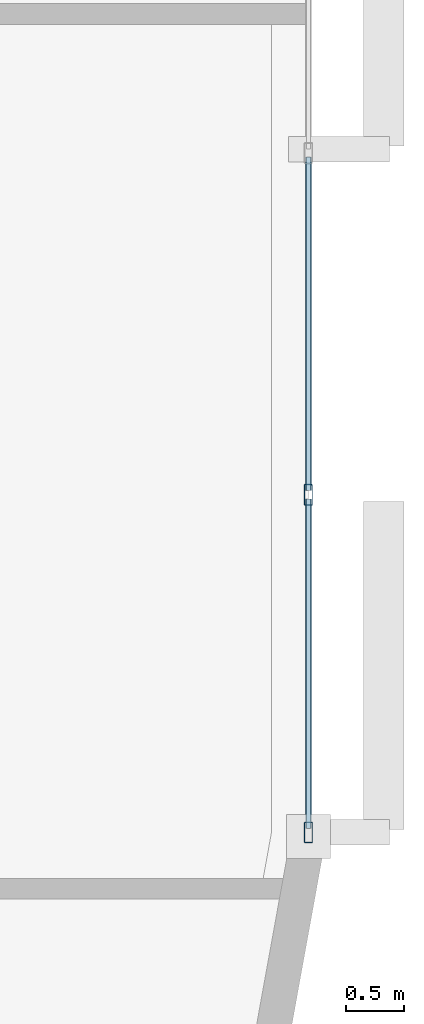
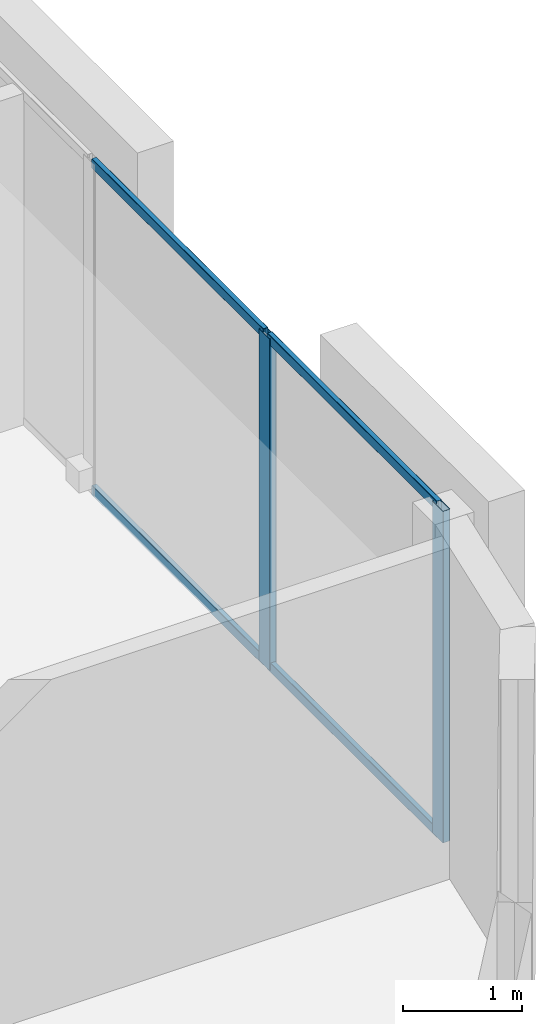
# One storey, part 4 of 13: 6 members, 1 element without a shape of its own.
"""IFC4 building model written with IfcOpenShell, lengths in metres."""

from ifc_helpers import new_model, si_unit, direction, frame, origin, origin_2d, place, context, subcontext, project, spatial, hollow_rectangle, extrude, material, layer, layer_set, material_profile, profile_set, type_object, element, aggregate, save


model = new_model("IFC4")

# Units and contexts
model_context = context("Model", 3, precision=1e-05, world=origin(), true_north=direction((0.0, 1.0)))
body_context = subcontext(model_context, "Body", "Model", "MODEL_VIEW")
ifc_project = project(units=[si_unit("LENGTHUNIT", "METRE"), si_unit("AREAUNIT", "SQUARE_METRE"), si_unit("VOLUMEUNIT", "CUBIC_METRE"), si_unit("PLANEANGLEUNIT", "RADIAN"), si_unit("MASSUNIT", "GRAM", prefix="KILO")], contexts=[model_context])

# Site, building, storey
site_placement = place(None, origin())
site = spatial("IfcSite", under=ifc_project, at=site_placement, CompositionType="ELEMENT")
building_placement = place(site_placement, origin())
building = spatial("IfcBuilding", under=site, at=building_placement, Name="An Khanh Terracotta Commons", CompositionType="ELEMENT")
storey_placement = place(building_placement, frame((0.0, 0.0, 226.5)))
storey = spatial("IfcBuildingStorey", under=building, at=storey_placement, Name="L59", CompositionType="ELEMENT", Elevation=226.5)

# Curtain wall, members
ifc_material = material(Name="Anodised Aluminium 6063-T6", Category="aluminium")
ifc_layer = layer(ifc_material, 0.2099609375, Name="Anodised Aluminium 6063-T6")
ifc_layer_set = layer_set([ifc_layer], Name="Anodised Aluminium 6063-T6")
curtain_wall_type = type_object("IfcCurtainWallType", Name="CW-SYS-03", PredefinedType="USERDEFINED", material=ifc_layer_set)
curtain_wall_placement = place(storey_placement, origin())
curtain_wall = element("IfcCurtainWall", 1, at=curtain_wall_placement, inside=storey, type_object=curtain_wall_type, Name="L59 CW-03 Unitised Curtain Wall CW-L59-12", ObjectType="UNITISED CURTAIN WALL", PredefinedType="USERDEFINED")
ifc_material_profile_1 = material_profile(ifc_material, hollow_rectangle(XDim=0.070068359375, YDim=0.179931640625, WallThickness=0.00390625, InnerFilletRadius=0.00390625, OuterFilletRadius=0.008056640625, at=origin_2d()), Name="RHS180x70x4")
ifc_profile_set_1 = profile_set([ifc_material_profile_1], Name="Anodised Aluminium 6063-T6")
member_type_1 = type_object("IfcMemberType", Name="CWM-RHS180x70x4", PredefinedType="MULLION", material=ifc_profile_set_1)
member_1_placement = place(storey_placement, frame((68.60009765625, 18.135986328125, 0.0), z_axis=(0.0, 0.0, 1.0), x_axis=(-1.0, 0.0, 0.0)))
member_1 = element("IfcMember", 2, at=member_1_placement, type_object=member_type_1, Name="CW-03 mullion 1", PredefinedType="MULLION", context=body_context, shape_type="SweptSolid", body=[
    extrude(hollow_rectangle(XDim=0.070068359375, YDim=0.179931640625, WallThickness=0.00390625, InnerFilletRadius=0.00390625, OuterFilletRadius=0.008056640625, at=origin_2d()), origin(), (0.0, 0.0, 1.0), 3.39990234375),
])
member_2_placement = place(storey_placement, frame((68.60009765625, 21.050537109375, 0.0), z_axis=(0.0, 0.0, 1.0), x_axis=(-1.0, 0.0, 0.0)))
member_2 = element("IfcMember", 3, at=member_2_placement, type_object=member_type_1, Name="CW-03 mullion 2", PredefinedType="MULLION", context=body_context, shape_type="SweptSolid", body=[
    extrude(hollow_rectangle(XDim=0.070068359375, YDim=0.179931640625, WallThickness=0.00390625, InnerFilletRadius=0.00390625, OuterFilletRadius=0.008056640625, at=origin_2d()), origin(), (0.0, 0.0, 1.0), 3.39990234375),
])
ifc_material_profile_2 = material_profile(ifc_material, hollow_rectangle(XDim=0.050048828125, YDim=0.10009765625, WallThickness=0.003173828125, InnerFilletRadius=0.003173828125, OuterFilletRadius=0.00634765625, at=origin_2d()), Name="RHS100x50x3.2")
ifc_profile_set_2 = profile_set([ifc_material_profile_2], Name="Anodised Aluminium 6063-T6")
member_type_2 = type_object("IfcMemberType", Name="CWT-RHS100x50x3.2", PredefinedType="USERDEFINED", material=ifc_profile_set_2)
member_3_placement = place(storey_placement, frame((68.60009765625, 18.1708984375, 0.02490234375), z_axis=(0.0, 1.0, 0.0), x_axis=(-1.0, 0.0, 0.0)))
member_3 = element("IfcMember", 4, at=member_3_placement, type_object=member_type_2, Name="CW-03 transom 1.1", ObjectType="TRANSOM", PredefinedType="USERDEFINED", context=body_context, shape_type="SweptSolid", body=[
    extrude(hollow_rectangle(XDim=0.050048828125, YDim=0.10009765625, WallThickness=0.003173828125, InnerFilletRadius=0.003173828125, OuterFilletRadius=0.00634765625, at=origin_2d()), origin(), (0.0, 0.0, 1.0), 2.844482421875),
])
member_4_placement = place(storey_placement, frame((68.60009765625, 18.1708984375, 3.375), z_axis=(0.0, 1.0, 0.0), x_axis=(-1.0, 0.0, 0.0)))
member_4 = element("IfcMember", 5, at=member_4_placement, type_object=member_type_2, Name="CW-03 transom 1.2", ObjectType="TRANSOM", PredefinedType="USERDEFINED", context=body_context, shape_type="SweptSolid", body=[
    extrude(hollow_rectangle(XDim=0.050048828125, YDim=0.10009765625, WallThickness=0.003173828125, InnerFilletRadius=0.003173828125, OuterFilletRadius=0.00634765625, at=origin_2d()), origin(), (0.0, 0.0, 1.0), 2.844482421875),
])
member_5_placement = place(storey_placement, frame((68.60009765625, 21.08544921875, 0.02490234375), z_axis=(0.0, 1.0, 0.0), x_axis=(-1.0, 0.0, 0.0)))
member_5 = element("IfcMember", 6, at=member_5_placement, type_object=member_type_2, Name="CW-03 transom 2.1", ObjectType="TRANSOM", PredefinedType="USERDEFINED", context=body_context, shape_type="SweptSolid", body=[
    extrude(hollow_rectangle(XDim=0.050048828125, YDim=0.10009765625, WallThickness=0.003173828125, InnerFilletRadius=0.003173828125, OuterFilletRadius=0.00634765625, at=origin_2d()), origin(), (0.0, 0.0, 1.0), 2.879638671875),
])
member_6_placement = place(storey_placement, frame((68.60009765625, 21.08544921875, 3.375), z_axis=(0.0, 1.0, 0.0), x_axis=(-1.0, 0.0, 0.0)))
member_6 = element("IfcMember", 7, at=member_6_placement, type_object=member_type_2, Name="CW-03 transom 2.2", ObjectType="TRANSOM", PredefinedType="USERDEFINED", context=body_context, shape_type="SweptSolid", body=[
    extrude(hollow_rectangle(XDim=0.050048828125, YDim=0.10009765625, WallThickness=0.003173828125, InnerFilletRadius=0.003173828125, OuterFilletRadius=0.00634765625, at=origin_2d()), origin(), (0.0, 0.0, 1.0), 2.879638671875),
])
aggregate(curtain_wall, [member_1, member_2, member_3, member_4, member_5, member_6])

save(model, "model.ifc")
